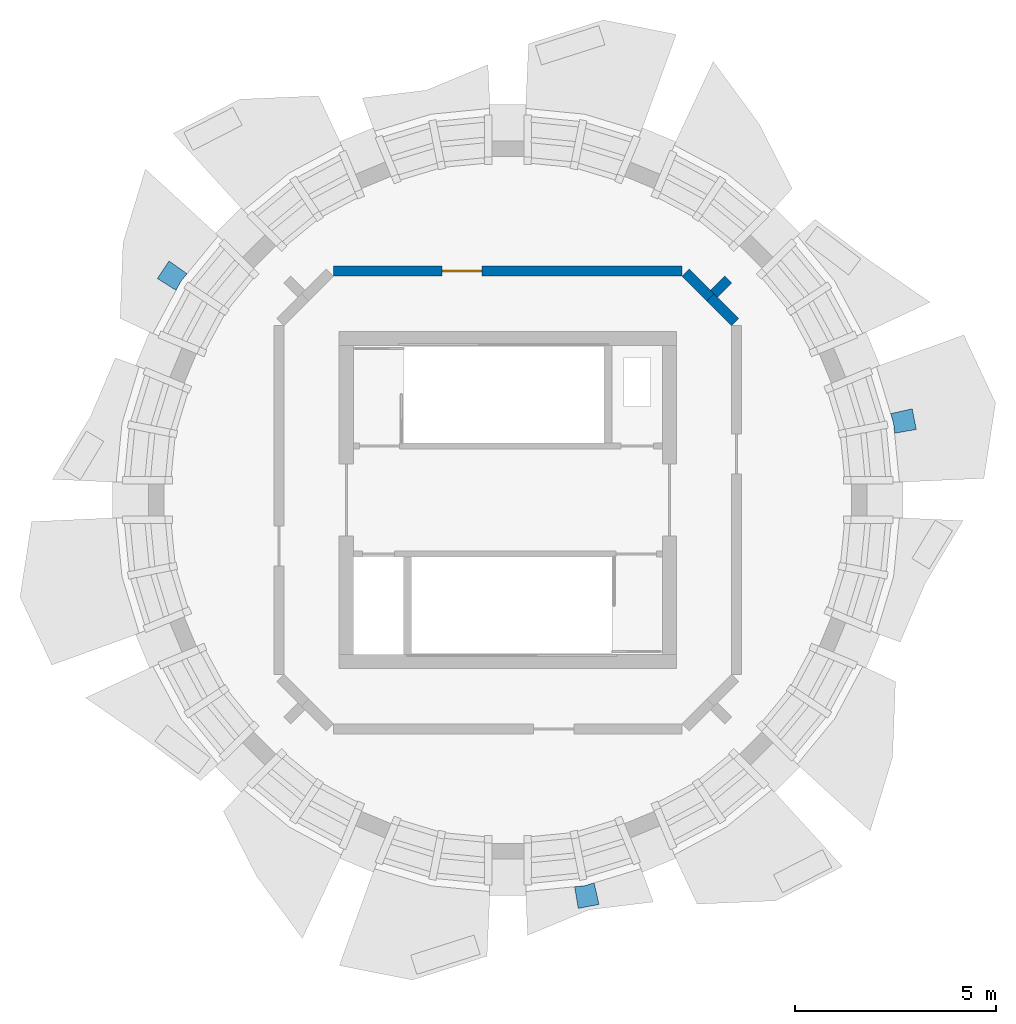
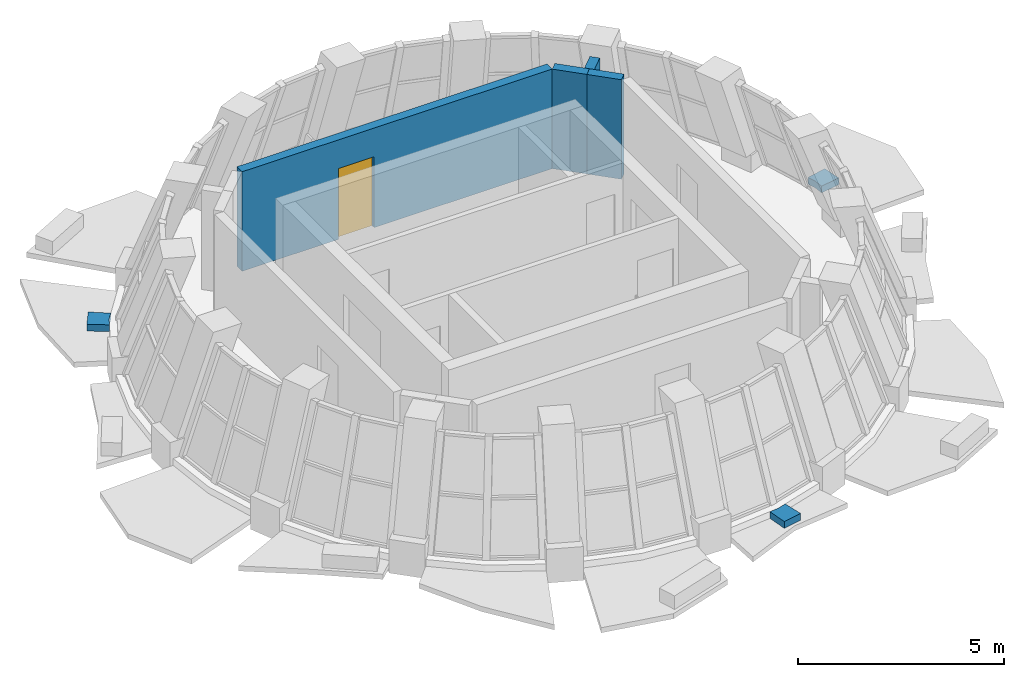
# One storey, part 6 of 8: 4 walls, 3 discrete accessories, 1 door, 1 opening.
"""IFC4 building model written with IfcOpenShell, lengths in metres."""

from ifc_helpers import new_model, si_unit, direction, frame, frame_2d, origin, place, context, subcontext, project, spatial, polyline, rectangle, outline, extrude, material, layer, layer_set, type_object, element, fill, save


model = new_model("IFC4")

# Units and contexts
model_context = context("Model", 3, precision=1e-05, world=origin(), true_north=direction((0.0, 1.0)))
body_context = subcontext(model_context, "Body", "Model", "MODEL_VIEW")
ifc_project = project(units=[si_unit("LENGTHUNIT", "METRE"), si_unit("AREAUNIT", "SQUARE_METRE"), si_unit("VOLUMEUNIT", "CUBIC_METRE"), si_unit("PLANEANGLEUNIT", "RADIAN"), si_unit("MASSUNIT", "GRAM", prefix="KILO")], contexts=[model_context])

# Site, building, storey
site_placement = place(None, origin())
site = spatial("IfcSite", under=ifc_project, at=site_placement, CompositionType="ELEMENT")
building_placement = place(site_placement, origin())
building = spatial("IfcBuilding", under=site, at=building_placement, Name="Polderwave Tower", CompositionType="ELEMENT")
storey_placement = place(building_placement, frame((0.0, 0.0, 244.39990234375)))
storey = spatial("IfcBuildingStorey", under=building, at=storey_placement, Name="L66", CompositionType="ELEMENT", Elevation=244.39990234375)

# Wall
ifc_material_1 = material(Name="Fire-resisting board on steel studs, mineral wool", Category="steel")
ifc_layer = layer(ifc_material_1, 0.25)
ifc_layer_set = layer_set([ifc_layer], Name="Plant room wall 250 mm EI 120")
wall_type = type_object("IfcWallType", Name="Plant room wall 250 mm EI 120", PredefinedType="PARTITIONING", material=ifc_layer_set)
wall_1_placement = place(storey_placement, frame((5.048583984375, 5.048583984375, 0.0), z_axis=(0.0, 0.0, 1.0), x_axis=(0.706966384729, -0.707247149774, 0.0)))
element("IfcWall", 1, at=wall_1_placement, inside=storey, type_object=wall_type, Name="IN-L66-W001", PredefinedType="PARTITIONING", context=body_context, shape_type="SweptSolid", body=[
    extrude(rectangle(XDim=0.86962890625, YDim=0.25, at=frame_2d((0.434814453125, 0.0))), origin(), (0.0, 0.0, 1.0), 2.9501953125),
])

# Wall, opening, door
wall_2_placement = place(storey_placement, frame((-4.34521484375, 5.699951171875, 0.0), z_axis=(0.0, 0.0, 1.0), x_axis=(1.0, 0.0, 0.0)))
wall_2 = element("IfcWall", 2, at=wall_2_placement, inside=storey, type_object=wall_type, Name="IN-L66-W005", PredefinedType="PARTITIONING", context=body_context, shape_type="SweptSolid", body=[
    extrude(rectangle(XDim=8.6904296875, YDim=0.25, at=frame_2d((4.34521484375, 0.0))), origin(), (0.0, 0.0, 1.0), 2.9501953125),
])
opening_placement = place(wall_2_placement, frame((2.699951171875, 0.0, 0.0)))
opening = element("IfcOpeningElement", 3, at=opening_placement, cuts=wall_2, Name="Opening L66-D51", PredefinedType="OPENING", context=body_context, shape_type="SweptSolid", body=[
    extrude(rectangle(XDim=1.0, YDim=2.10009765625, at=frame_2d((0.5, 1.050048828125))), frame((0.0, 0.135009765625, 0.0), z_axis=(0.0, -1.0, 0.0), x_axis=(1.0, 0.0, 0.0)), (0.0, 0.0, 1.0), 0.27001953125),
])
ifc_material_2 = material(Name="Steel plant door leaf", Category="steel")
door_type = type_object("IfcDoorType", Name="Plant door FD60 1000 x 2100 steel", OperationType="NOTDEFINED", PredefinedType="DOOR", material=ifc_material_2)
door_placement = place(opening_placement, origin())
door = element("IfcDoor", 4, at=door_placement, inside=storey, type_object=door_type, Name="Door L66-D51", OperationType="SINGLE_SWING_LEFT", OverallHeight=2.10009765625, OverallWidth=1.0, PredefinedType="DOOR", context=body_context, shape_type="SweptSolid", body=[
    extrude(rectangle(XDim=1.0, YDim=2.10009765625, at=frame_2d((0.5, 1.050048828125))), frame((0.0, 0.02490234375, 0.0), z_axis=(0.0, -1.0, 0.0), x_axis=(1.0, 0.0, 0.0)), (0.0, 0.0, 1.0), 0.050048828125),
])
fill(opening, door)

# Walls
wall_3_placement = place(storey_placement, frame((4.43359375, 5.663330078125, 0.0), z_axis=(0.0, 0.0, 1.0), x_axis=(0.707247149774, -0.706966384729, 0.0)))
element("IfcWall", 5, at=wall_3_placement, inside=storey, type_object=wall_type, Name="IN-L66-W006", PredefinedType="PARTITIONING", context=body_context, shape_type="SweptSolid", body=[
    extrude(rectangle(XDim=0.86962890625, YDim=0.25, at=frame_2d((0.434814453125, 0.0))), origin(), (0.0, 0.0, 1.0), 2.9501953125),
])
wall_4_placement = place(storey_placement, frame((5.136962890625, 5.136962890625, 0.0), z_axis=(0.0, 0.0, 1.0), x_axis=(0.707106781187, 0.707106781187, 0.0)))
element("IfcWall", 6, at=wall_4_placement, inside=storey, type_object=wall_type, Name="IN-L66-W013", PredefinedType="PARTITIONING", context=body_context, shape_type="SweptSolid", body=[
    extrude(rectangle(XDim=0.505126953125, YDim=0.25, at=frame_2d((0.25244140625, 0.0))), origin(), (0.0, 0.0, 1.0), 2.9501953125),
])

# Discrete accessories
ifc_material_3 = material(Name="Steel S355", Category="steel")
discrete_accessory_type = type_object("IfcDiscreteAccessoryType", Name="Band bracket pad", PredefinedType="BRACKET", material=ifc_material_3)
discrete_accessory_1_placement = place(storey_placement, frame((0.0, 0.0, -0.199951171875)))
element("IfcDiscreteAccessory", 7, at=discrete_accessory_1_placement, inside=storey, type_object=discrete_accessory_type, Name="Band bracket L66 1", PredefinedType="BRACKET", context=body_context, shape_type="SweptSolid", body=[
    extrude(outline(polyline([(9.63623046875, 1.6630859375), (9.61181640625, 1.911865234375), (9.5390625, 2.151123046875), (10.07568359375, 2.272216796875), (10.17822265625, 1.756591796875), (9.63623046875, 1.6630859375)])), origin(), (0.0, 0.0, 1.0), 0.199951171875),
])
discrete_accessory_2_placement = place(storey_placement, frame((0.0, 0.0, -0.199951171875)))
element("IfcDiscreteAccessory", 8, at=discrete_accessory_2_placement, inside=storey, type_object=discrete_accessory_type, Name="Band bracket L66 7", PredefinedType="BRACKET", context=body_context, shape_type="SweptSolid", body=[
    extrude(outline(polyline([(-7.98974609375, 5.6376953125), (-8.1484375, 5.444580078125), (-8.266357421875, 5.22412109375), (-8.731201171875, 5.517822265625), (-8.439208984375, 5.954833984375), (-7.98974609375, 5.6376953125)])), origin(), (0.0, 0.0, 1.0), 0.199951171875),
])
discrete_accessory_3_placement = place(storey_placement, frame((0.0, 0.0, -0.199951171875)))
element("IfcDiscreteAccessory", 9, at=discrete_accessory_3_placement, inside=storey, type_object=discrete_accessory_type, Name="Band bracket L66 13", PredefinedType="BRACKET", context=body_context, shape_type="SweptSolid", body=[
    extrude(outline(polyline([(1.6630859375, -9.63623046875), (1.911865234375, -9.61181640625), (2.151123046875, -9.5390625), (2.272216796875, -10.07568359375), (1.756591796875, -10.17822265625), (1.6630859375, -9.63623046875)])), origin(), (0.0, 0.0, 1.0), 0.199951171875),
])

save(model, "model.ifc")
